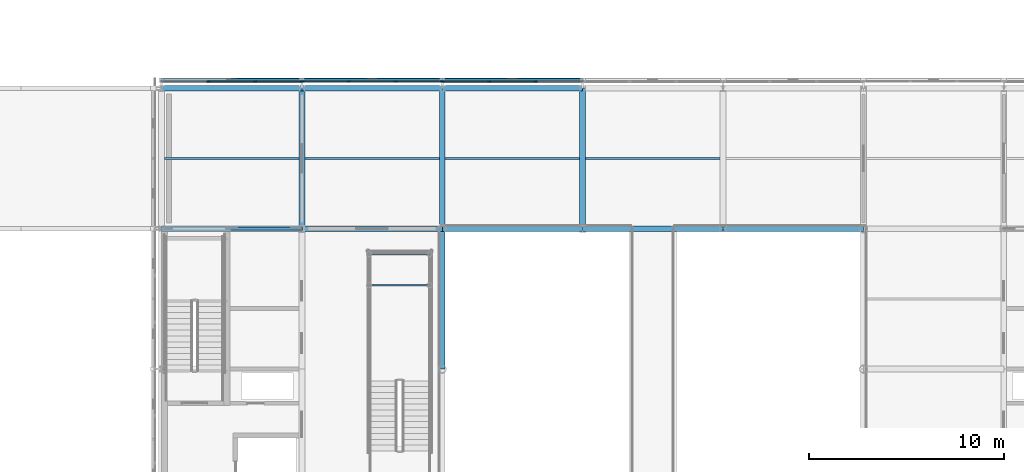
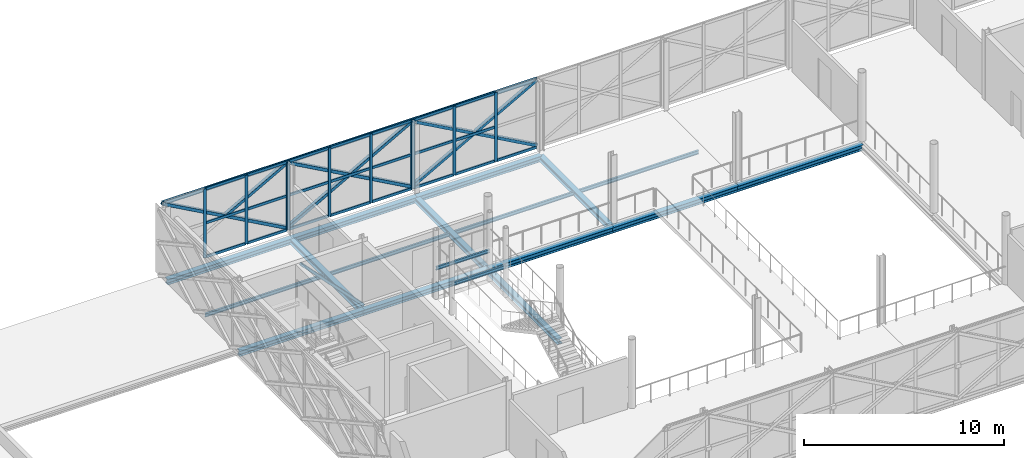
# One storey, part 38 of 103: 44 members, 18 beams, 3 elements without a shape of their own.
"""IFC4 building model written with IfcOpenShell, lengths in metres."""

from ifc_helpers import new_model, si_unit, direction, frame, origin, origin_2d, place, context, subcontext, project, spatial, rectangle, hollow_rectangle, i_section, extrude, material, material_profile, profile_set, type_object, element, aggregate, save


model = new_model("IFC4")

# Units and contexts
model_context = context("Model", 3, precision=1e-05, world=origin(), true_north=direction((0.0, 1.0)))
body_context = subcontext(model_context, "Body", "Model", "MODEL_VIEW")
ifc_project = project(units=[si_unit("LENGTHUNIT", "METRE"), si_unit("AREAUNIT", "SQUARE_METRE"), si_unit("VOLUMEUNIT", "CUBIC_METRE"), si_unit("PLANEANGLEUNIT", "RADIAN"), si_unit("MASSUNIT", "GRAM", prefix="KILO")], contexts=[model_context])

# Site, building, storey
site_placement = place(None, origin())
site = spatial("IfcSite", under=ifc_project, at=site_placement, CompositionType="ELEMENT")
building_placement = place(site_placement, origin())
building = spatial("IfcBuilding", under=site, at=building_placement, Name="Zlatovets Crest Museum", CompositionType="ELEMENT")
storey_placement = place(building_placement, frame((0.0, 0.0, 12.89990234375)))
storey = spatial("IfcBuildingStorey", under=building, at=storey_placement, Name="L03", CompositionType="ELEMENT", Elevation=12.89990234375)

# Beams
ifc_material_1 = material(Name="Structural steel S355J2", Category="steel")
ifc_material_profile_1 = material_profile(ifc_material_1, i_section(OverallWidth=0.300048828125, OverallDepth=0.31005859375, WebThickness=0.009033203125, FlangeThickness=0.015380859375, FilletRadius=0.027099609375, at=origin_2d()), Name="HEA 320")
ifc_profile_set_1 = profile_set([ifc_material_profile_1], Name="Structural steel S355J2")
beam_type_1 = type_object("IfcBeamType", Name="Beam_B-04", PredefinedType="BEAM", material=ifc_profile_set_1)
beam_1_placement = place(storey_placement, frame((64.800048828125, 21.60009765625, -0.39501953125), z_axis=(0.0, 1.0, 0.0), x_axis=(-1.0, 0.0, 0.0)))
element("IfcBeam", 1, at=beam_1_placement, inside=storey, type_object=beam_type_1, Name="V2 L03 Grid Beam B-04", PredefinedType="BEAM", context=body_context, shape_type="SweptSolid", body=[
    extrude(i_section(OverallWidth=0.300048828125, OverallDepth=0.31005859375, WebThickness=0.009033203125, FlangeThickness=0.015380859375, FilletRadius=0.027099609375, at=origin_2d()), origin(), (0.0, 0.0, 1.0), 7.199951171875),
])
beam_2_placement = place(storey_placement, frame((72.0, 14.39990234375, -0.39501953125), z_axis=(0.0, 1.0, 0.0), x_axis=(-1.0, 0.0, 0.0)))
element("IfcBeam", 2, at=beam_2_placement, inside=storey, type_object=beam_type_1, Name="V2 L03 Grid Beam B-04", PredefinedType="BEAM", context=body_context, shape_type="SweptSolid", body=[
    extrude(i_section(OverallWidth=0.300048828125, OverallDepth=0.31005859375, WebThickness=0.009033203125, FlangeThickness=0.015380859375, FilletRadius=0.027099609375, at=origin_2d()), origin(), (0.0, 0.0, 1.0), 7.2001953125),
])
for number, where, z_axis, x_axis, name in (
    (3, (72.0, 21.60009765625, -0.39501953125), (0.0, 1.0, 0.0), (-1.0, 0.0, 0.0), "V2 L03 Grid Beam B-04"),
    (4, (79.199951171875, 21.60009765625, -0.39501953125), (0.0, 1.0, 0.0), (-1.0, 0.0, 0.0), "V2 L03 Grid Beam B-04"),
):
    element("IfcBeam", number, at=place(storey_placement, frame(where, z_axis=z_axis, x_axis=x_axis)), inside=storey, type_object=beam_type_1, Name=name, PredefinedType="BEAM", context=body_context, shape_type="SweptSolid", body=[
        extrude(i_section(OverallWidth=0.300048828125, OverallDepth=0.31005859375, WebThickness=0.009033203125, FlangeThickness=0.015380859375, FilletRadius=0.027099609375, at=origin_2d()), origin(), (0.0, 0.0, 1.0), 7.199951171875),
    ])
ifc_material_profile_2 = material_profile(ifc_material_1, i_section(OverallWidth=0.300048828125, OverallDepth=0.330078125, WebThickness=0.009521484375, FlangeThickness=0.0166015625, FilletRadius=0.027099609375, at=origin_2d()), Name="HEA 340")
ifc_profile_set_2 = profile_set([ifc_material_profile_2], Name="Structural steel S355J2")
beam_type_2 = type_object("IfcBeamType", Name="Beam_B-11", PredefinedType="BEAM", material=ifc_profile_set_2)
for number, where, z_axis, x_axis, name in (
    (5, (57.60009765625, 21.60009765625, -0.40478515625), (1.0, 0.0, 0.0), (0.0, 1.0, 0.0), "V2 L03 Primary Girder B-11"),
    (6, (64.800048828125, 21.60009765625, -0.40478515625), (1.0, 0.0, 0.0), (0.0, 1.0, 0.0), "V2 L03 Primary Girder B-11"),
    (7, (72.0, 21.60009765625, -0.40478515625), (1.0, 0.0, 0.0), (0.0, 1.0, 0.0), "V2 L03 Primary Girder B-11"),
    (8, (79.199951171875, 21.60009765625, -0.40478515625), (1.0, 0.0, 0.0), (0.0, 1.0, 0.0), "V2 L03 Primary Girder B-11"),
):
    element("IfcBeam", number, at=place(storey_placement, frame(where, z_axis=z_axis, x_axis=x_axis)), inside=storey, type_object=beam_type_2, Name=name, PredefinedType="BEAM", context=body_context, shape_type="SweptSolid", body=[
        extrude(i_section(OverallWidth=0.300048828125, OverallDepth=0.330078125, WebThickness=0.009521484375, FlangeThickness=0.0166015625, FilletRadius=0.027099609375, at=origin_2d()), origin(), (0.0, 0.0, 1.0), 7.199951171875),
    ])
beam_3_placement = place(storey_placement, frame((86.39990234375, 21.60009765625, -0.40478515625), z_axis=(1.0, 0.0, 0.0), x_axis=(0.0, 1.0, 0.0)))
element("IfcBeam", 9, at=beam_3_placement, inside=storey, type_object=beam_type_2, Name="V2 L03 Primary Girder B-11", PredefinedType="BEAM", context=body_context, shape_type="SweptSolid", body=[
    extrude(i_section(OverallWidth=0.300048828125, OverallDepth=0.330078125, WebThickness=0.009521484375, FlangeThickness=0.0166015625, FilletRadius=0.027099609375, at=origin_2d()), origin(), (0.0, 0.0, 1.0), 7.2001953125),
])
for number, where, z_axis, x_axis, name in (
    (10, (57.60009765625, 28.800048828125, -0.40478515625), (1.0, 0.0, 0.0), (0.0, 1.0, 0.0), "V2 L03 Primary Girder B-11"),
    (11, (64.800048828125, 28.800048828125, -0.40478515625), (1.0, 0.0, 0.0), (0.0, 1.0, 0.0), "V2 L03 Primary Girder B-11"),
    (12, (72.0, 28.800048828125, -0.40478515625), (1.0, 0.0, 0.0), (0.0, 1.0, 0.0), "V2 L03 Primary Girder B-11"),
):
    element("IfcBeam", number, at=place(storey_placement, frame(where, z_axis=z_axis, x_axis=x_axis)), inside=storey, type_object=beam_type_2, Name=name, PredefinedType="BEAM", context=body_context, shape_type="SweptSolid", body=[
        extrude(i_section(OverallWidth=0.300048828125, OverallDepth=0.330078125, WebThickness=0.009521484375, FlangeThickness=0.0166015625, FilletRadius=0.027099609375, at=origin_2d()), origin(), (0.0, 0.0, 1.0), 7.199951171875),
    ])
ifc_material_profile_3 = material_profile(ifc_material_1, i_section(OverallWidth=0.110107421875, OverallDepth=0.219970703125, WebThickness=0.005859375, FlangeThickness=0.00927734375, FilletRadius=0.011962890625, at=origin_2d()), Name="IPE 220")
ifc_profile_set_3 = profile_set([ifc_material_profile_3], Name="Structural steel S355J2")
beam_type_3 = type_object("IfcBeamType", Name="Beam_J-10", PredefinedType="JOIST", material=ifc_profile_set_3)
beam_4_placement = place(storey_placement, frame((57.75, 25.199951171875, -0.349853515625), z_axis=(1.0, 0.0, 0.0), x_axis=(0.0, 1.0, 0.0)))
element("IfcBeam", 13, at=beam_4_placement, inside=storey, type_object=beam_type_3, Name="V2 L03 Composite Joist J-10", PredefinedType="JOIST", context=body_context, shape_type="SweptSolid", body=[
    extrude(i_section(OverallWidth=0.110107421875, OverallDepth=0.219970703125, WebThickness=0.005859375, FlangeThickness=0.00927734375, FilletRadius=0.011962890625, at=origin_2d()), origin(), (0.0, 0.0, 1.0), 6.89990234375),
])
for number, where, z_axis, x_axis, name in (
    (14, (64.949951171875, 25.199951171875, -0.349853515625), (1.0, 0.0, 0.0), (0.0, 1.0, 0.0), "V2 L03 Composite Joist J-10"),
    (15, (72.14990234375, 25.199951171875, -0.349853515625), (1.0, 0.0, 0.0), (0.0, 1.0, 0.0), "V2 L03 Composite Joist J-10"),
):
    element("IfcBeam", number, at=place(storey_placement, frame(where, z_axis=z_axis, x_axis=x_axis)), inside=storey, type_object=beam_type_3, Name=name, PredefinedType="JOIST", context=body_context, shape_type="SweptSolid", body=[
        extrude(i_section(OverallWidth=0.110107421875, OverallDepth=0.219970703125, WebThickness=0.005859375, FlangeThickness=0.00927734375, FilletRadius=0.011962890625, at=origin_2d()), origin(), (0.0, 0.0, 1.0), 6.900146484375),
    ])
beam_5_placement = place(storey_placement, frame((79.35009765625, 25.199951171875, -0.349853515625), z_axis=(1.0, 0.0, 0.0), x_axis=(0.0, 1.0, 0.0)))
element("IfcBeam", 16, at=beam_5_placement, inside=storey, type_object=beam_type_3, Name="V2 L03 Composite Joist J-10", PredefinedType="JOIST", context=body_context, shape_type="SweptSolid", body=[
    extrude(i_section(OverallWidth=0.110107421875, OverallDepth=0.219970703125, WebThickness=0.005859375, FlangeThickness=0.00927734375, FilletRadius=0.011962890625, at=origin_2d()), origin(), (0.0, 0.0, 1.0), 6.89990234375),
])
ifc_material_profile_4 = material_profile(ifc_material_1, i_section(OverallWidth=0.10009765625, OverallDepth=0.199951171875, WebThickness=0.005615234375, FlangeThickness=0.008544921875, FilletRadius=0.011962890625, at=origin_2d()), Name="IPE 200")
ifc_profile_set_4 = profile_set([ifc_material_profile_4], Name="Structural steel S355J2")
beam_type_4 = type_object("IfcBeamType", Name="Beam_PR-02", PredefinedType="LINTEL", material=ifc_profile_set_4)
for number, where, z_axis, x_axis, name in (
    (17, (68.25, 18.699951171875, 1.800048828125), (1.0, 0.0, 0.0), (0.0, 1.0, 0.0), "Atrium Stair L03 Landing Beam"),
    (18, (68.25, 20.300048828125, 1.800048828125), (1.0, 0.0, 0.0), (0.0, 1.0, 0.0), "Atrium Stair L03 Landing Beam"),
):
    element("IfcBeam", number, at=place(storey_placement, frame(where, z_axis=z_axis, x_axis=x_axis)), inside=storey, type_object=beam_type_4, Name=name, PredefinedType="LINTEL", context=body_context, shape_type="SweptSolid", body=[
        extrude(i_section(OverallWidth=0.10009765625, OverallDepth=0.199951171875, WebThickness=0.005615234375, FlangeThickness=0.008544921875, FilletRadius=0.011962890625, at=origin_2d()), origin(), (0.0, 0.0, 1.0), 3.10009765625),
    ])

# Curtain wall, members
ifc_material_2 = material(Name="Bronze-anodised aluminium and low-E triple glass", Category="aluminium")
curtain_wall_type_1 = type_object("IfcCurtainWallType", Name="CW_CW-V2-L03-M3", PredefinedType="NOTDEFINED", material=ifc_material_2)
curtain_wall_1_placement = place(storey_placement, origin())
curtain_wall_1 = element("IfcCurtainWall", 19, at=curtain_wall_1_placement, inside=storey, type_object=curtain_wall_type_1, Name="V2 L03 Secession Foyer Clear Curtain Wall", PredefinedType="NOTDEFINED")
ifc_material_3 = material(Name="Bronze-anodised aluminium EN AW-6060", Category="aluminium")
ifc_material_profile_5 = material_profile(ifc_material_3, rectangle(XDim=0.080078125, YDim=0.159912109375, at=origin_2d()), Name="ALU 80x160")
ifc_profile_set_5 = profile_set([ifc_material_profile_5], Name="Bronze-anodised aluminium EN AW-6060")
member_type_1 = type_object("IfcMemberType", Name="CWMull_M1", PredefinedType="MULLION", material=ifc_profile_set_5)
member_1_placement = place(storey_placement, frame((76.800048828125, 29.139892578125, 0.0), z_axis=(0.0, 0.0, 1.0), x_axis=(0.0, -1.0, 0.0)))
member_1 = element("IfcMember", 20, at=member_1_placement, type_object=member_type_1, Name="CW-V2-L03-M3 mullion 2", PredefinedType="MULLION", context=body_context, shape_type="SweptSolid", body=[
    extrude(rectangle(XDim=0.080078125, YDim=0.159912109375, at=origin_2d()), origin(), (0.0, 0.0, 1.0), 4.2001953125),
])
member_2_placement = place(storey_placement, frame((74.39990234375, 29.139892578125, 0.0), z_axis=(0.0, 0.0, 1.0), x_axis=(0.0, -1.0, 0.0)))
member_2 = element("IfcMember", 21, at=member_2_placement, type_object=member_type_1, Name="CW-V2-L03-M3 mullion 3", PredefinedType="MULLION", context=body_context, shape_type="SweptSolid", body=[
    extrude(rectangle(XDim=0.080078125, YDim=0.159912109375, at=origin_2d()), origin(), (0.0, 0.0, 1.0), 4.2001953125),
])
member_3_placement = place(storey_placement, frame((72.030029296875, 29.139892578125, 0.0), z_axis=(0.0, 0.0, 1.0), x_axis=(0.0, -1.0, 0.0)))
member_3 = element("IfcMember", 22, at=member_3_placement, type_object=member_type_1, Name="CW-V2-L03-M3 mullion 4", PredefinedType="MULLION", context=body_context, shape_type="SweptSolid", body=[
    extrude(rectangle(XDim=0.080078125, YDim=0.159912109375, at=origin_2d()), origin(), (0.0, 0.0, 1.0), 4.2001953125),
])

curtain_wall_type_2 = type_object("IfcCurtainWallType", Name="CW_CW-V2-L03-M0", PredefinedType="NOTDEFINED", material=ifc_material_2)
curtain_wall_2_placement = place(storey_placement, origin())
curtain_wall_2 = element("IfcCurtainWall", 23, at=curtain_wall_2_placement, inside=storey, type_object=curtain_wall_type_2, Name="V2 L03 Secession Foyer Clear Curtain Wall", PredefinedType="NOTDEFINED")
member_4_placement = place(storey_placement, frame((71.969970703125, 29.139892578125, 0.0), z_axis=(0.0, 0.0, 1.0), x_axis=(0.0, -1.0, 0.0)))
member_4 = element("IfcMember", 24, at=member_4_placement, type_object=member_type_1, Name="CW-V2-L03-M0 mullion 1", PredefinedType="MULLION", context=body_context, shape_type="SweptSolid", body=[
    extrude(rectangle(XDim=0.080078125, YDim=0.159912109375, at=origin_2d()), origin(), (0.0, 0.0, 1.0), 4.2001953125),
])
member_5_placement = place(storey_placement, frame((69.60009765625, 29.139892578125, 0.0), z_axis=(0.0, 0.0, 1.0), x_axis=(0.0, -1.0, 0.0)))
member_5 = element("IfcMember", 25, at=member_5_placement, type_object=member_type_1, Name="CW-V2-L03-M0 mullion 2", PredefinedType="MULLION", context=body_context, shape_type="SweptSolid", body=[
    extrude(rectangle(XDim=0.080078125, YDim=0.159912109375, at=origin_2d()), origin(), (0.0, 0.0, 1.0), 4.2001953125),
])
member_6_placement = place(storey_placement, frame((67.199951171875, 29.139892578125, 0.0), z_axis=(0.0, 0.0, 1.0), x_axis=(0.0, -1.0, 0.0)))
member_6 = element("IfcMember", 26, at=member_6_placement, type_object=member_type_1, Name="CW-V2-L03-M0 mullion 3", PredefinedType="MULLION", context=body_context, shape_type="SweptSolid", body=[
    extrude(rectangle(XDim=0.080078125, YDim=0.159912109375, at=origin_2d()), origin(), (0.0, 0.0, 1.0), 4.2001953125),
])
member_7_placement = place(storey_placement, frame((64.830078125, 29.139892578125, 0.0), z_axis=(0.0, 0.0, 1.0), x_axis=(0.0, -1.0, 0.0)))
member_7 = element("IfcMember", 27, at=member_7_placement, type_object=member_type_1, Name="CW-V2-L03-M0 mullion 4", PredefinedType="MULLION", context=body_context, shape_type="SweptSolid", body=[
    extrude(rectangle(XDim=0.080078125, YDim=0.159912109375, at=origin_2d()), origin(), (0.0, 0.0, 1.0), 4.2001953125),
])

curtain_wall_type_3 = type_object("IfcCurtainWallType", Name="CW_CW-V2-L03-M1", PredefinedType="NOTDEFINED", material=ifc_material_2)
curtain_wall_3_placement = place(storey_placement, origin())
curtain_wall_3 = element("IfcCurtainWall", 28, at=curtain_wall_3_placement, inside=storey, type_object=curtain_wall_type_3, Name="V2 L03 Secession Foyer Clear Curtain Wall", PredefinedType="NOTDEFINED")
member_8_placement = place(storey_placement, frame((64.77001953125, 29.139892578125, 0.0), z_axis=(0.0, 0.0, 1.0), x_axis=(0.0, -1.0, 0.0)))
member_8 = element("IfcMember", 29, at=member_8_placement, type_object=member_type_1, Name="CW-V2-L03-M1 mullion 1", PredefinedType="MULLION", context=body_context, shape_type="SweptSolid", body=[
    extrude(rectangle(XDim=0.080078125, YDim=0.159912109375, at=origin_2d()), origin(), (0.0, 0.0, 1.0), 4.2001953125),
])
member_9_placement = place(storey_placement, frame((62.39990234375, 29.139892578125, 0.0), z_axis=(0.0, 0.0, 1.0), x_axis=(0.0, -1.0, 0.0)))
member_9 = element("IfcMember", 30, at=member_9_placement, type_object=member_type_1, Name="CW-V2-L03-M1 mullion 2", PredefinedType="MULLION", context=body_context, shape_type="SweptSolid", body=[
    extrude(rectangle(XDim=0.080078125, YDim=0.159912109375, at=origin_2d()), origin(), (0.0, 0.0, 1.0), 4.2001953125),
])
member_10_placement = place(storey_placement, frame((60.0, 29.139892578125, 0.0), z_axis=(0.0, 0.0, 1.0), x_axis=(0.0, -1.0, 0.0)))
member_10 = element("IfcMember", 31, at=member_10_placement, type_object=member_type_1, Name="CW-V2-L03-M1 mullion 3", PredefinedType="MULLION", context=body_context, shape_type="SweptSolid", body=[
    extrude(rectangle(XDim=0.080078125, YDim=0.159912109375, at=origin_2d()), origin(), (0.0, 0.0, 1.0), 4.2001953125),
])

# Member
ifc_material_profile_6 = material_profile(ifc_material_3, rectangle(XDim=0.080078125, YDim=0.159912109375, at=origin_2d()), Name="ALU 80x160")
ifc_profile_set_6 = profile_set([ifc_material_profile_6], Name="Bronze-anodised aluminium EN AW-6060")
member_type_2 = type_object("IfcMemberType", Name="CWTrans_T1", PredefinedType="USERDEFINED", material=ifc_profile_set_6)
member_11_placement = place(storey_placement, frame((79.139892578125, 29.139892578125, 0.030029296875), z_axis=(-1.0, 0.0, 0.0), x_axis=(0.0, -1.0, 0.0)))
member_11 = element("IfcMember", 32, at=member_11_placement, type_object=member_type_2, Name="CW-V2-L03-M3 transom 1.1", ObjectType="TRANSOM", PredefinedType="USERDEFINED", context=body_context, shape_type="SweptSolid", body=[
    extrude(rectangle(XDim=0.080078125, YDim=0.159912109375, at=origin_2d()), origin(), (0.0, 0.0, 1.0), 2.309814453125),
])

member_12_placement = place(storey_placement, frame((76.77001953125, 29.139892578125, 0.030029296875), z_axis=(-1.0, 0.0, 0.0), x_axis=(0.0, -1.0, 0.0)))
member_12 = element("IfcMember", 33, at=member_12_placement, type_object=member_type_2, Name="CW-V2-L03-M3 transom 2.1", ObjectType="TRANSOM", PredefinedType="USERDEFINED", context=body_context, shape_type="SweptSolid", body=[
    extrude(rectangle(XDim=0.080078125, YDim=0.159912109375, at=origin_2d()), origin(), (0.0, 0.0, 1.0), 2.340087890625),
])

member_13_placement = place(storey_placement, frame((76.77001953125, 29.139892578125, 2.10009765625), z_axis=(-1.0, 0.0, 0.0), x_axis=(0.0, -1.0, 0.0)))
member_13 = element("IfcMember", 34, at=member_13_placement, type_object=member_type_2, Name="CW-V2-L03-M3 transom 2.2", ObjectType="TRANSOM", PredefinedType="USERDEFINED", context=body_context, shape_type="SweptSolid", body=[
    extrude(rectangle(XDim=0.080078125, YDim=0.159912109375, at=origin_2d()), origin(), (0.0, 0.0, 1.0), 2.340087890625),
])

member_14_placement = place(storey_placement, frame((76.77001953125, 29.139892578125, 4.170166015625), z_axis=(-1.0, 0.0, 0.0), x_axis=(0.0, -1.0, 0.0)))
member_14 = element("IfcMember", 35, at=member_14_placement, type_object=member_type_2, Name="CW-V2-L03-M3 transom 2.3", ObjectType="TRANSOM", PredefinedType="USERDEFINED", context=body_context, shape_type="SweptSolid", body=[
    extrude(rectangle(XDim=0.080078125, YDim=0.159912109375, at=origin_2d()), origin(), (0.0, 0.0, 1.0), 2.340087890625),
])

member_15_placement = place(storey_placement, frame((74.3701171875, 29.139892578125, 0.030029296875), z_axis=(-1.0, 0.0, 0.0), x_axis=(0.0, -1.0, 0.0)))
member_15 = element("IfcMember", 36, at=member_15_placement, type_object=member_type_2, Name="CW-V2-L03-M3 transom 3.1", ObjectType="TRANSOM", PredefinedType="USERDEFINED", context=body_context, shape_type="SweptSolid", body=[
    extrude(rectangle(XDim=0.080078125, YDim=0.159912109375, at=origin_2d()), origin(), (0.0, 0.0, 1.0), 2.31005859375),
])

member_16_placement = place(storey_placement, frame((74.3701171875, 29.139892578125, 2.10009765625), z_axis=(-1.0, 0.0, 0.0), x_axis=(0.0, -1.0, 0.0)))
member_16 = element("IfcMember", 37, at=member_16_placement, type_object=member_type_2, Name="CW-V2-L03-M3 transom 3.2", ObjectType="TRANSOM", PredefinedType="USERDEFINED", context=body_context, shape_type="SweptSolid", body=[
    extrude(rectangle(XDim=0.080078125, YDim=0.159912109375, at=origin_2d()), origin(), (0.0, 0.0, 1.0), 2.31005859375),
])

member_17_placement = place(storey_placement, frame((74.3701171875, 29.139892578125, 4.170166015625), z_axis=(-1.0, 0.0, 0.0), x_axis=(0.0, -1.0, 0.0)))
member_17 = element("IfcMember", 38, at=member_17_placement, type_object=member_type_2, Name="CW-V2-L03-M3 transom 3.3", ObjectType="TRANSOM", PredefinedType="USERDEFINED", context=body_context, shape_type="SweptSolid", body=[
    extrude(rectangle(XDim=0.080078125, YDim=0.159912109375, at=origin_2d()), origin(), (0.0, 0.0, 1.0), 2.31005859375),
])

aggregate(curtain_wall_1, [member_1, member_2, member_3, member_11, member_12, member_13, member_14, member_15, member_16, member_17])

member_18_placement = place(storey_placement, frame((71.93994140625, 29.139892578125, 0.030029296875), z_axis=(-1.0, 0.0, 0.0), x_axis=(0.0, -1.0, 0.0)))
member_18 = element("IfcMember", 39, at=member_18_placement, type_object=member_type_2, Name="CW-V2-L03-M0 transom 1.1", ObjectType="TRANSOM", PredefinedType="USERDEFINED", context=body_context, shape_type="SweptSolid", body=[
    extrude(rectangle(XDim=0.080078125, YDim=0.159912109375, at=origin_2d()), origin(), (0.0, 0.0, 1.0), 2.31005859375),
])

member_19_placement = place(storey_placement, frame((71.93994140625, 29.139892578125, 2.10009765625), z_axis=(-1.0, 0.0, 0.0), x_axis=(0.0, -1.0, 0.0)))
member_19 = element("IfcMember", 40, at=member_19_placement, type_object=member_type_2, Name="CW-V2-L03-M0 transom 1.2", ObjectType="TRANSOM", PredefinedType="USERDEFINED", context=body_context, shape_type="SweptSolid", body=[
    extrude(rectangle(XDim=0.080078125, YDim=0.159912109375, at=origin_2d()), origin(), (0.0, 0.0, 1.0), 2.31005859375),
])

member_20_placement = place(storey_placement, frame((71.93994140625, 29.139892578125, 4.170166015625), z_axis=(-1.0, 0.0, 0.0), x_axis=(0.0, -1.0, 0.0)))
member_20 = element("IfcMember", 41, at=member_20_placement, type_object=member_type_2, Name="CW-V2-L03-M0 transom 1.3", ObjectType="TRANSOM", PredefinedType="USERDEFINED", context=body_context, shape_type="SweptSolid", body=[
    extrude(rectangle(XDim=0.080078125, YDim=0.159912109375, at=origin_2d()), origin(), (0.0, 0.0, 1.0), 2.31005859375),
])

member_21_placement = place(storey_placement, frame((69.570068359375, 29.139892578125, 0.030029296875), z_axis=(-1.0, 0.0, 0.0), x_axis=(0.0, -1.0, 0.0)))
member_21 = element("IfcMember", 42, at=member_21_placement, type_object=member_type_2, Name="CW-V2-L03-M0 transom 2.1", ObjectType="TRANSOM", PredefinedType="USERDEFINED", context=body_context, shape_type="SweptSolid", body=[
    extrude(rectangle(XDim=0.080078125, YDim=0.159912109375, at=origin_2d()), origin(), (0.0, 0.0, 1.0), 2.340087890625),
])

member_22_placement = place(storey_placement, frame((69.570068359375, 29.139892578125, 2.10009765625), z_axis=(-1.0, 0.0, 0.0), x_axis=(0.0, -1.0, 0.0)))
member_22 = element("IfcMember", 43, at=member_22_placement, type_object=member_type_2, Name="CW-V2-L03-M0 transom 2.2", ObjectType="TRANSOM", PredefinedType="USERDEFINED", context=body_context, shape_type="SweptSolid", body=[
    extrude(rectangle(XDim=0.080078125, YDim=0.159912109375, at=origin_2d()), origin(), (0.0, 0.0, 1.0), 2.340087890625),
])

member_23_placement = place(storey_placement, frame((69.570068359375, 29.139892578125, 4.170166015625), z_axis=(-1.0, 0.0, 0.0), x_axis=(0.0, -1.0, 0.0)))
member_23 = element("IfcMember", 44, at=member_23_placement, type_object=member_type_2, Name="CW-V2-L03-M0 transom 2.3", ObjectType="TRANSOM", PredefinedType="USERDEFINED", context=body_context, shape_type="SweptSolid", body=[
    extrude(rectangle(XDim=0.080078125, YDim=0.159912109375, at=origin_2d()), origin(), (0.0, 0.0, 1.0), 2.340087890625),
])

member_24_placement = place(storey_placement, frame((67.169921875, 29.139892578125, 0.030029296875), z_axis=(-1.0, 0.0, 0.0), x_axis=(0.0, -1.0, 0.0)))
member_24 = element("IfcMember", 45, at=member_24_placement, type_object=member_type_2, Name="CW-V2-L03-M0 transom 3.1", ObjectType="TRANSOM", PredefinedType="USERDEFINED", context=body_context, shape_type="SweptSolid", body=[
    extrude(rectangle(XDim=0.080078125, YDim=0.159912109375, at=origin_2d()), origin(), (0.0, 0.0, 1.0), 2.309814453125),
])

member_25_placement = place(storey_placement, frame((67.169921875, 29.139892578125, 2.10009765625), z_axis=(-1.0, 0.0, 0.0), x_axis=(0.0, -1.0, 0.0)))
member_25 = element("IfcMember", 46, at=member_25_placement, type_object=member_type_2, Name="CW-V2-L03-M0 transom 3.2", ObjectType="TRANSOM", PredefinedType="USERDEFINED", context=body_context, shape_type="SweptSolid", body=[
    extrude(rectangle(XDim=0.080078125, YDim=0.159912109375, at=origin_2d()), origin(), (0.0, 0.0, 1.0), 2.309814453125),
])

member_26_placement = place(storey_placement, frame((67.169921875, 29.139892578125, 4.170166015625), z_axis=(-1.0, 0.0, 0.0), x_axis=(0.0, -1.0, 0.0)))
member_26 = element("IfcMember", 47, at=member_26_placement, type_object=member_type_2, Name="CW-V2-L03-M0 transom 3.3", ObjectType="TRANSOM", PredefinedType="USERDEFINED", context=body_context, shape_type="SweptSolid", body=[
    extrude(rectangle(XDim=0.080078125, YDim=0.159912109375, at=origin_2d()), origin(), (0.0, 0.0, 1.0), 2.309814453125),
])

aggregate(curtain_wall_2, [member_4, member_5, member_6, member_7, member_18, member_19, member_20, member_21, member_22, member_23, member_24, member_25, member_26])

member_27_placement = place(storey_placement, frame((64.739990234375, 29.139892578125, 0.030029296875), z_axis=(-1.0, 0.0, 0.0), x_axis=(0.0, -1.0, 0.0)))
member_27 = element("IfcMember", 48, at=member_27_placement, type_object=member_type_2, Name="CW-V2-L03-M1 transom 1.1", ObjectType="TRANSOM", PredefinedType="USERDEFINED", context=body_context, shape_type="SweptSolid", body=[
    extrude(rectangle(XDim=0.080078125, YDim=0.159912109375, at=origin_2d()), origin(), (0.0, 0.0, 1.0), 2.31005859375),
])

member_28_placement = place(storey_placement, frame((64.739990234375, 29.139892578125, 2.10009765625), z_axis=(-1.0, 0.0, 0.0), x_axis=(0.0, -1.0, 0.0)))
member_28 = element("IfcMember", 49, at=member_28_placement, type_object=member_type_2, Name="CW-V2-L03-M1 transom 1.2", ObjectType="TRANSOM", PredefinedType="USERDEFINED", context=body_context, shape_type="SweptSolid", body=[
    extrude(rectangle(XDim=0.080078125, YDim=0.159912109375, at=origin_2d()), origin(), (0.0, 0.0, 1.0), 2.31005859375),
])

member_29_placement = place(storey_placement, frame((64.739990234375, 29.139892578125, 4.170166015625), z_axis=(-1.0, 0.0, 0.0), x_axis=(0.0, -1.0, 0.0)))
member_29 = element("IfcMember", 50, at=member_29_placement, type_object=member_type_2, Name="CW-V2-L03-M1 transom 1.3", ObjectType="TRANSOM", PredefinedType="USERDEFINED", context=body_context, shape_type="SweptSolid", body=[
    extrude(rectangle(XDim=0.080078125, YDim=0.159912109375, at=origin_2d()), origin(), (0.0, 0.0, 1.0), 2.31005859375),
])

member_30_placement = place(storey_placement, frame((62.3701171875, 29.139892578125, 0.030029296875), z_axis=(-1.0, 0.0, 0.0), x_axis=(0.0, -1.0, 0.0)))
member_30 = element("IfcMember", 51, at=member_30_placement, type_object=member_type_2, Name="CW-V2-L03-M1 transom 2.1", ObjectType="TRANSOM", PredefinedType="USERDEFINED", context=body_context, shape_type="SweptSolid", body=[
    extrude(rectangle(XDim=0.080078125, YDim=0.159912109375, at=origin_2d()), origin(), (0.0, 0.0, 1.0), 2.340087890625),
])

member_31_placement = place(storey_placement, frame((62.3701171875, 29.139892578125, 2.10009765625), z_axis=(-1.0, 0.0, 0.0), x_axis=(0.0, -1.0, 0.0)))
member_31 = element("IfcMember", 52, at=member_31_placement, type_object=member_type_2, Name="CW-V2-L03-M1 transom 2.2", ObjectType="TRANSOM", PredefinedType="USERDEFINED", context=body_context, shape_type="SweptSolid", body=[
    extrude(rectangle(XDim=0.080078125, YDim=0.159912109375, at=origin_2d()), origin(), (0.0, 0.0, 1.0), 2.340087890625),
])

member_32_placement = place(storey_placement, frame((62.3701171875, 29.139892578125, 4.170166015625), z_axis=(-1.0, 0.0, 0.0), x_axis=(0.0, -1.0, 0.0)))
member_32 = element("IfcMember", 53, at=member_32_placement, type_object=member_type_2, Name="CW-V2-L03-M1 transom 2.3", ObjectType="TRANSOM", PredefinedType="USERDEFINED", context=body_context, shape_type="SweptSolid", body=[
    extrude(rectangle(XDim=0.080078125, YDim=0.159912109375, at=origin_2d()), origin(), (0.0, 0.0, 1.0), 2.340087890625),
])

aggregate(curtain_wall_3, [member_8, member_9, member_10, member_27, member_28, member_29, member_30, member_31, member_32])

# Members
ifc_material_4 = material(Name="Weathering bronze-steel S355J2W", Category="steel")
ifc_material_profile_7 = material_profile(ifc_material_4, hollow_rectangle(XDim=0.199951171875, YDim=0.199951171875, WallThickness=0.012451171875, InnerFilletRadius=0.012451171875, OuterFilletRadius=0.02490234375, at=origin_2d()), Name="SHS 200x200x12.5")
ifc_profile_set_7 = profile_set([ifc_material_profile_7], Name="Weathering bronze-steel S355J2W")
member_type_3 = type_object("IfcMemberType", Name="Lattice_XL-02", PredefinedType="BRACE", material=ifc_profile_set_7)
member_33_placement = place(storey_placement, frame((79.199951171875, 29.219970703125, 0.10009765625), z_axis=(-0.874155877937, 0.0, 0.485645447903), x_axis=(0.0, -1.0, 0.0)))
element("IfcMember", 54, at=member_33_placement, inside=storey, type_object=member_type_3, Name="Continuous Bronze Lattice Diagonal", PredefinedType="BRACE", context=body_context, shape_type="SweptSolid", body=[
    extrude(hollow_rectangle(XDim=0.199951171875, YDim=0.199951171875, WallThickness=0.012451171875, InnerFilletRadius=0.012451171875, OuterFilletRadius=0.02490234375, at=origin_2d()), origin(), (0.0, 0.0, 1.0), 8.236572265625),
])
member_34_placement = place(storey_placement, frame((79.199951171875, 29.219970703125, 4.10009765625), z_axis=(-0.874151551165, 0.0, -0.485653235958), x_axis=(0.0, -1.0, 0.0)))
element("IfcMember", 55, at=member_34_placement, inside=storey, type_object=member_type_3, Name="Split Crossing Bronze Lattice Diagonal Upper", PredefinedType="BRACE", context=body_context, shape_type="SweptSolid", body=[
    extrude(hollow_rectangle(XDim=0.199951171875, YDim=0.199951171875, WallThickness=0.012451171875, InnerFilletRadius=0.012451171875, OuterFilletRadius=0.02490234375, at=origin_2d()), origin(), (0.0, 0.0, 1.0), 4.023193359375),
])
member_35_placement = place(storey_placement, frame((75.51708984375, 29.219970703125, 2.053955078125), z_axis=(-0.874165862873, 0.0, -0.485627474703), x_axis=(0.0, -1.0, 0.0)))
element("IfcMember", 56, at=member_35_placement, inside=storey, type_object=member_type_3, Name="Split Crossing Bronze Lattice Diagonal Lower", PredefinedType="BRACE", context=body_context, shape_type="SweptSolid", body=[
    extrude(hollow_rectangle(XDim=0.199951171875, YDim=0.199951171875, WallThickness=0.012451171875, InnerFilletRadius=0.012451171875, OuterFilletRadius=0.02490234375, at=origin_2d()), origin(), (0.0, 0.0, 1.0), 4.0234375),
])
member_36_placement = place(storey_placement, frame((72.0, 29.219970703125, 0.10009765625), z_axis=(-0.874155877937, 0.0, 0.485645447903), x_axis=(0.0, -1.0, 0.0)))
element("IfcMember", 57, at=member_36_placement, inside=storey, type_object=member_type_3, Name="Continuous Bronze Lattice Diagonal", PredefinedType="BRACE", context=body_context, shape_type="SweptSolid", body=[
    extrude(hollow_rectangle(XDim=0.199951171875, YDim=0.199951171875, WallThickness=0.012451171875, InnerFilletRadius=0.012451171875, OuterFilletRadius=0.02490234375, at=origin_2d()), origin(), (0.0, 0.0, 1.0), 8.236572265625),
])
member_37_placement = place(storey_placement, frame((72.0, 29.219970703125, 4.10009765625), z_axis=(-0.874165862873, 0.0, -0.485627474703), x_axis=(0.0, -1.0, 0.0)))
element("IfcMember", 58, at=member_37_placement, inside=storey, type_object=member_type_3, Name="Split Crossing Bronze Lattice Diagonal Upper", PredefinedType="BRACE", context=body_context, shape_type="SweptSolid", body=[
    extrude(hollow_rectangle(XDim=0.199951171875, YDim=0.199951171875, WallThickness=0.012451171875, InnerFilletRadius=0.012451171875, OuterFilletRadius=0.02490234375, at=origin_2d()), origin(), (0.0, 0.0, 1.0), 4.0234375),
])
member_38_placement = place(storey_placement, frame((68.31689453125, 29.219970703125, 2.053955078125), z_axis=(-0.874151551165, 0.0, -0.485653235958), x_axis=(0.0, -1.0, 0.0)))
element("IfcMember", 59, at=member_38_placement, inside=storey, type_object=member_type_3, Name="Split Crossing Bronze Lattice Diagonal Lower", PredefinedType="BRACE", context=body_context, shape_type="SweptSolid", body=[
    extrude(hollow_rectangle(XDim=0.199951171875, YDim=0.199951171875, WallThickness=0.012451171875, InnerFilletRadius=0.012451171875, OuterFilletRadius=0.02490234375, at=origin_2d()), origin(), (0.0, 0.0, 1.0), 4.023193359375),
])
member_39_placement = place(storey_placement, frame((64.800048828125, 29.219970703125, 0.10009765625), z_axis=(-0.874155877937, 0.0, 0.485645447903), x_axis=(0.0, -1.0, 0.0)))
element("IfcMember", 60, at=member_39_placement, inside=storey, type_object=member_type_3, Name="Continuous Bronze Lattice Diagonal", PredefinedType="BRACE", context=body_context, shape_type="SweptSolid", body=[
    extrude(hollow_rectangle(XDim=0.199951171875, YDim=0.199951171875, WallThickness=0.012451171875, InnerFilletRadius=0.012451171875, OuterFilletRadius=0.02490234375, at=origin_2d()), origin(), (0.0, 0.0, 1.0), 8.236572265625),
])
member_40_placement = place(storey_placement, frame((64.800048828125, 29.219970703125, 4.10009765625), z_axis=(-0.874165862873, 0.0, -0.485627474703), x_axis=(0.0, -1.0, 0.0)))
element("IfcMember", 61, at=member_40_placement, inside=storey, type_object=member_type_3, Name="Split Crossing Bronze Lattice Diagonal Upper", PredefinedType="BRACE", context=body_context, shape_type="SweptSolid", body=[
    extrude(hollow_rectangle(XDim=0.199951171875, YDim=0.199951171875, WallThickness=0.012451171875, InnerFilletRadius=0.012451171875, OuterFilletRadius=0.02490234375, at=origin_2d()), origin(), (0.0, 0.0, 1.0), 4.0234375),
])
ifc_material_profile_8 = material_profile(ifc_material_4, hollow_rectangle(XDim=0.1201171875, YDim=0.239990234375, WallThickness=0.010009765625, InnerFilletRadius=0.010009765625, OuterFilletRadius=0.02001953125, at=origin_2d()), Name="RHS 120x240x10.0")
ifc_profile_set_8 = profile_set([ifc_material_profile_8], Name="Weathering bronze-steel S355J2W")
member_type_4 = type_object("IfcMemberType", Name="Lattice_XL-04", PredefinedType="CHORD", material=ifc_profile_set_8)
for number, where, z_axis, x_axis, name in (
    (62, (79.199951171875, 29.219970703125, 4.10009765625), (-1.0, 0.0, 0.0), (0.0, -1.0, 0.0), "Art Nouveau Woven Cage Collector Ring Chord"),
    (63, (72.0, 29.219970703125, 4.10009765625), (-1.0, 0.0, 0.0), (0.0, -1.0, 0.0), "Art Nouveau Woven Cage Collector Ring Chord"),
    (64, (64.800048828125, 29.219970703125, 4.10009765625), (-1.0, 0.0, 0.0), (0.0, -1.0, 0.0), "Art Nouveau Woven Cage Collector Ring Chord"),
):
    element("IfcMember", number, at=place(storey_placement, frame(where, z_axis=z_axis, x_axis=x_axis)), inside=storey, type_object=member_type_4, Name=name, PredefinedType="CHORD", context=body_context, shape_type="SweptSolid", body=[
        extrude(hollow_rectangle(XDim=0.1201171875, YDim=0.239990234375, WallThickness=0.010009765625, InnerFilletRadius=0.010009765625, OuterFilletRadius=0.02001953125, at=origin_2d()), origin(), (0.0, 0.0, 1.0), 7.199951171875),
    ])
ifc_material_profile_9 = material_profile(ifc_material_1, hollow_rectangle(XDim=0.159912109375, YDim=0.159912109375, WallThickness=0.010009765625, InnerFilletRadius=0.010009765625, OuterFilletRadius=0.02001953125, at=origin_2d()), Name="SHS 160x160x10.0")
ifc_profile_set_9 = profile_set([ifc_material_profile_9], Name="Structural steel S355J2")
member_type_5 = type_object("IfcMemberType", Name="Member_BR-03", PredefinedType="BRACE", material=ifc_profile_set_9)
member_41_placement = place(storey_placement, frame((64.800048828125, 21.60009765625, 0.0), z_axis=(-0.692541604294, 0.0, 0.721377935844), x_axis=(0.0, -1.0, 0.0)))
element("IfcMember", 65, at=member_41_placement, inside=storey, type_object=member_type_5, Name="V2 L03 Concentric Seismic Brace", PredefinedType="BRACE", context=body_context, shape_type="SweptSolid", body=[
    extrude(hollow_rectangle(XDim=0.159912109375, YDim=0.159912109375, WallThickness=0.010009765625, InnerFilletRadius=0.010009765625, OuterFilletRadius=0.02001953125, at=origin_2d()), origin(), (0.0, 0.0, 1.0), 5.198486328125),
])

save(model, "model.ifc")
